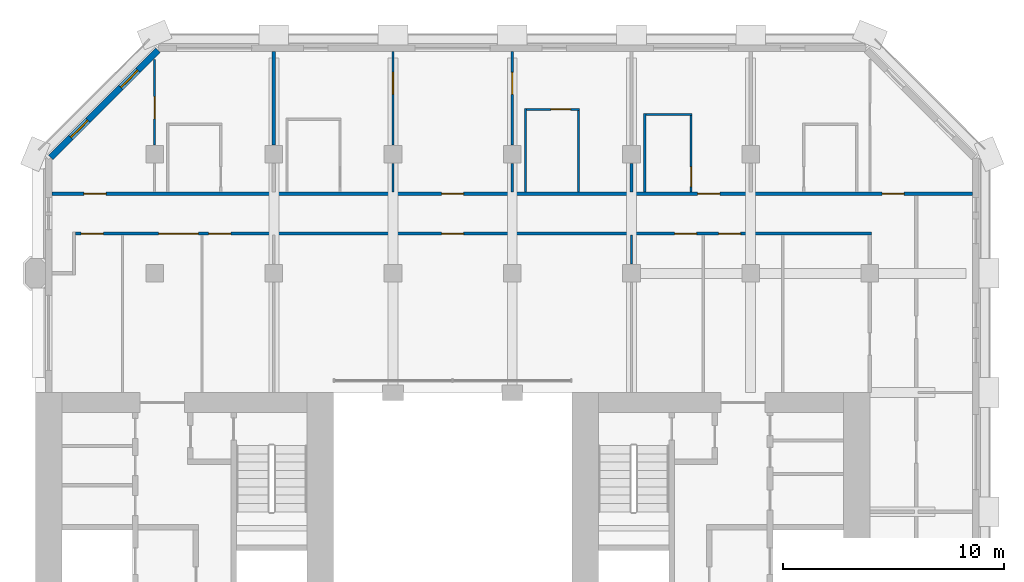
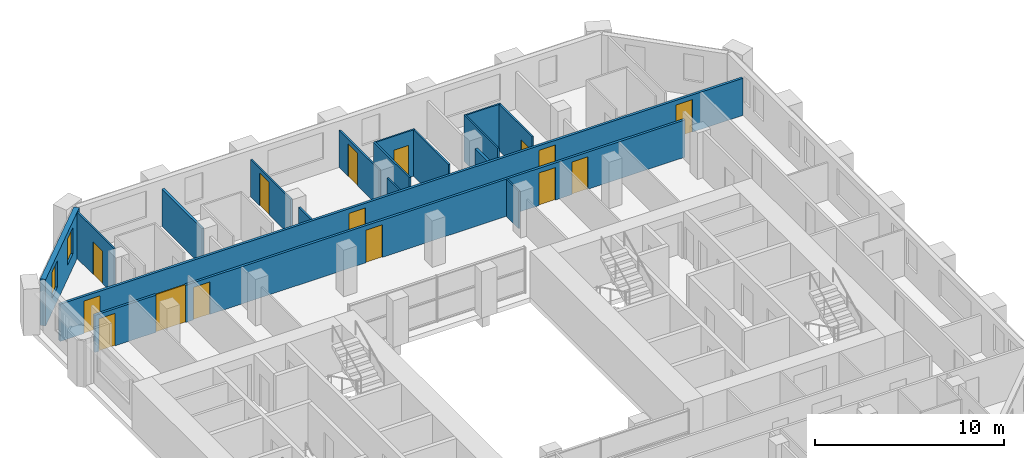
# One storey, part 8 of 12: 17 walls, 15 doors, 2 windows, 17 openings.
"""IFC4 building model written with IfcOpenShell, lengths in metres."""

from ifc_helpers import new_model, si_unit, direction, frame, frame_2d, origin, place, context, subcontext, project, spatial, rectangle, extrude, material, layer, layer_set, type_object, element, fill, save


model = new_model("IFC4")

# Units and contexts
model_context = context("Model", 3, precision=1e-05, world=origin(), true_north=direction((0.0, 1.0)))
body_context = subcontext(model_context, "Body", "Model", "MODEL_VIEW")
ifc_project = project(units=[si_unit("LENGTHUNIT", "METRE"), si_unit("AREAUNIT", "SQUARE_METRE"), si_unit("VOLUMEUNIT", "CUBIC_METRE"), si_unit("PLANEANGLEUNIT", "RADIAN"), si_unit("MASSUNIT", "GRAM", prefix="KILO")], contexts=[model_context])

# Site, building, storey
site_placement = place(None, origin())
site = spatial("IfcSite", under=ifc_project, at=site_placement, CompositionType="ELEMENT")
building_placement = place(site_placement, origin())
building = spatial("IfcBuilding", under=site, at=building_placement, Name="Tabaq Tower and Sports Hall", CompositionType="ELEMENT")
storey_placement = place(building_placement, frame((0.0, 0.0, 190.60009765625)))
storey = spatial("IfcBuildingStorey", under=building, at=storey_placement, Name="L46", CompositionType="ELEMENT", Elevation=190.60009765625)

# Wall, opening, door
ifc_material_1 = material(Name="Gypsum board on steel studs", Category="steel")
ifc_layer_1 = layer(ifc_material_1, 0.10009765625)
ifc_layer_set_1 = layer_set([ifc_layer_1], Name="Partition 100 Gypsum board")
wall_type_1 = type_object("IfcWallType", Name="Partition 100 Gypsum board", PredefinedType="PARTITIONING", material=ifc_layer_set_1)
wall_1_placement = place(storey_placement, frame((10.800048828125, 47.48779296875, 0.0), z_axis=(0.0, 0.0, 1.0), x_axis=(0.0, -1.0, 0.0)))
wall_1 = element("IfcWall", 1, at=wall_1_placement, inside=storey, type_object=wall_type_1, Name="Partition wall L46", PredefinedType="PARTITIONING", context=body_context, shape_type="SweptSolid", body=[
    extrude(rectangle(XDim=3.86767578125, YDim=0.10009765625, at=frame_2d((1.933837890625, 0.0))), origin(), (0.0, 0.0, 1.0), 3.0),
])
opening_1_placement = place(wall_1_placement, frame((1.68798828125, 0.0, 0.0)))
opening_1 = element("IfcOpeningElement", 2, at=opening_1_placement, cuts=wall_1, Name="Opening L46-025", PredefinedType="OPENING", context=body_context, shape_type="SweptSolid", body=[
    extrude(rectangle(XDim=1.0, YDim=2.10009765625, at=frame_2d((0.5, 1.050048828125))), frame((0.0, 0.050048828125, 0.0), z_axis=(0.0, -1.0, 0.0), x_axis=(1.0, 0.0, 0.0)), (0.0, 0.0, 1.0), 0.10009765625),
])
ifc_material_2 = material(Name="Timber leaf in steel frame", Category="steel")
door_type_1 = type_object("IfcDoorType", Name="Internal door 1000 left hand", OperationType="SINGLE_SWING_LEFT", PredefinedType="DOOR", material=ifc_material_2)
door_1_placement = place(opening_1_placement, origin())
door_1 = element("IfcDoor", 3, at=door_1_placement, inside=storey, type_object=door_type_1, Name="Internal door L46-025", OperationType="SINGLE_SWING_LEFT", OverallHeight=2.10009765625, OverallWidth=1.0, PredefinedType="DOOR", context=body_context, shape_type="SweptSolid", body=[
    extrude(rectangle(XDim=1.0, YDim=2.10009765625, at=frame_2d((0.5, 1.050048828125))), frame((0.0, 0.02490234375, 0.0), z_axis=(0.0, -1.0, 0.0), x_axis=(1.0, 0.0, 0.0)), (0.0, 0.0, 1.0), 0.050048828125),
])
fill(opening_1, door_1)

# Wall
wall_2_placement = place(storey_placement, frame((21.60009765625, 41.47509765625, 0.0), z_axis=(0.0, 0.0, 1.0), x_axis=(0.0, 1.0, 0.0)))
element("IfcWall", 4, at=wall_2_placement, inside=storey, type_object=wall_type_1, Name="Partition wall L46", PredefinedType="PARTITIONING", context=body_context, shape_type="SweptSolid", body=[
    extrude(rectangle(XDim=1.304931640625, YDim=0.10009765625, at=frame_2d((0.65234375, 0.0))), origin(), (0.0, 0.0, 1.0), 2.39990234375),
])

# Wall, opening, door
wall_3_placement = place(storey_placement, frame((21.60009765625, 43.6201171875, 0.0), z_axis=(0.0, 0.0, 1.0), x_axis=(0.0, 1.0, 0.0)))
wall_3 = element("IfcWall", 5, at=wall_3_placement, inside=storey, type_object=wall_type_1, Name="Partition wall L46", PredefinedType="PARTITIONING", context=body_context, shape_type="SweptSolid", body=[
    extrude(rectangle(XDim=4.22900390625, YDim=0.10009765625, at=frame_2d((2.114501953125, 0.0))), origin(), (0.0, 0.0, 1.0), 2.39990234375),
])
opening_2_placement = place(wall_3_placement, frame((2.280029296875, 0.0, 0.0)))
opening_2 = element("IfcOpeningElement", 6, at=opening_2_placement, cuts=wall_3, Name="Opening L46-027", PredefinedType="OPENING", context=body_context, shape_type="SweptSolid", body=[
    extrude(rectangle(XDim=1.0, YDim=2.10009765625, at=frame_2d((0.5, 1.050048828125))), frame((0.0, 0.050048828125, 0.0), z_axis=(0.0, -1.0, 0.0), x_axis=(1.0, 0.0, 0.0)), (0.0, 0.0, 1.0), 0.10009765625),
])
door_2_placement = place(opening_2_placement, origin())
door_2 = element("IfcDoor", 7, at=door_2_placement, inside=storey, type_object=door_type_1, Name="Internal door L46-027", OperationType="SINGLE_SWING_LEFT", OverallHeight=2.10009765625, OverallWidth=1.0, PredefinedType="DOOR", context=body_context, shape_type="SweptSolid", body=[
    extrude(rectangle(XDim=1.0, YDim=2.10009765625, at=frame_2d((0.5, 1.050048828125))), frame((0.0, 0.02490234375, 0.0), z_axis=(0.0, -1.0, 0.0), x_axis=(1.0, 0.0, 0.0)), (0.0, 0.0, 1.0), 0.050048828125),
])
fill(opening_2, door_2)

wall_4_placement = place(storey_placement, frame((27.0, 47.84912109375, 0.0), z_axis=(0.0, 0.0, 1.0), x_axis=(0.0, -1.0, 0.0)))
wall_4 = element("IfcWall", 8, at=wall_4_placement, inside=storey, type_object=wall_type_1, Name="Partition wall L46", PredefinedType="PARTITIONING", context=body_context, shape_type="SweptSolid", body=[
    extrude(rectangle(XDim=4.22900390625, YDim=0.10009765625, at=frame_2d((2.114501953125, 0.0))), origin(), (0.0, 0.0, 1.0), 2.39990234375),
])
opening_3_placement = place(wall_4_placement, frame((0.948974609375, 0.0, 0.0)))
opening_3 = element("IfcOpeningElement", 9, at=opening_3_placement, cuts=wall_4, Name="Opening L46-028", PredefinedType="OPENING", context=body_context, shape_type="SweptSolid", body=[
    extrude(rectangle(XDim=1.0, YDim=2.10009765625, at=frame_2d((0.5, 1.050048828125))), frame((0.0, 0.050048828125, 0.0), z_axis=(0.0, -1.0, 0.0), x_axis=(1.0, 0.0, 0.0)), (0.0, 0.0, 1.0), 0.10009765625),
])
door_3_placement = place(opening_3_placement, origin())
door_3 = element("IfcDoor", 10, at=door_3_placement, inside=storey, type_object=door_type_1, Name="Internal door L46-028", OperationType="SINGLE_SWING_LEFT", OverallHeight=2.10009765625, OverallWidth=1.0, PredefinedType="DOOR", context=body_context, shape_type="SweptSolid", body=[
    extrude(rectangle(XDim=1.0, YDim=2.10009765625, at=frame_2d((0.5, 1.050048828125))), frame((0.0, 0.02490234375, 0.0), z_axis=(0.0, -1.0, 0.0), x_axis=(1.0, 0.0, 0.0)), (0.0, 0.0, 1.0), 0.050048828125),
])
fill(opening_3, door_3)

# Walls
wall_5_placement = place(storey_placement, frame((27.0, 42.780029296875, 0.0), z_axis=(0.0, 0.0, 1.0), x_axis=(0.0, -1.0, 0.0)))
element("IfcWall", 11, at=wall_5_placement, inside=storey, type_object=wall_type_1, Name="Partition wall L46", PredefinedType="PARTITIONING", context=body_context, shape_type="SweptSolid", body=[
    extrude(rectangle(XDim=1.304931640625, YDim=0.10009765625, at=frame_2d((0.65234375, 0.0))), origin(), (0.0, 0.0, 1.0), 2.39990234375),
])
wall_6_placement = place(storey_placement, frame((27.60009765625, 41.47509765625, 0.0), z_axis=(0.0, 0.0, 1.0), x_axis=(0.0, 1.0, 0.0)))
element("IfcWall", 12, at=wall_6_placement, inside=storey, type_object=wall_type_1, Name="Partition wall L46", PredefinedType="PARTITIONING", context=body_context, shape_type="SweptSolid", body=[
    extrude(rectangle(XDim=3.7998046875, YDim=0.10009765625, at=frame_2d((1.89990234375, 0.0))), origin(), (0.0, 0.0, 1.0), 3.0),
])

# Wall, opening, door
wall_7_placement = place(storey_placement, frame((27.64990234375, 45.22509765625, 0.0), z_axis=(0.0, 0.0, 1.0), x_axis=(1.0, 0.0, 0.0)))
wall_7 = element("IfcWall", 13, at=wall_7_placement, inside=storey, type_object=wall_type_1, Name="Partition wall L46", PredefinedType="PARTITIONING", context=body_context, shape_type="SweptSolid", body=[
    extrude(rectangle(XDim=2.400146484375, YDim=0.10009765625, at=frame_2d((1.2001953125, 0.0))), origin(), (0.0, 0.0, 1.0), 3.0),
])
opening_4_placement = place(wall_7_placement, frame((1.10009765625, 0.0, 0.0)))
opening_4 = element("IfcOpeningElement", 14, at=opening_4_placement, cuts=wall_7, Name="Opening L46-004", PredefinedType="OPENING", context=body_context, shape_type="SweptSolid", body=[
    extrude(rectangle(XDim=0.89990234375, YDim=2.10009765625, at=frame_2d((0.449951171875, 1.050048828125))), frame((0.0, 0.050048828125, 0.0), z_axis=(0.0, -1.0, 0.0), x_axis=(1.0, 0.0, 0.0)), (0.0, 0.0, 1.0), 0.10009765625),
])
ifc_material_3 = material(Name="Timber leaf in steel frame", Category="steel")
door_type_2 = type_object("IfcDoorType", Name="Internal door 900 right hand", OperationType="SINGLE_SWING_RIGHT", PredefinedType="DOOR", material=ifc_material_3)
door_4_placement = place(opening_4_placement, origin())
door_4 = element("IfcDoor", 15, at=door_4_placement, inside=storey, type_object=door_type_2, Name="Internal door L46-004", OperationType="SINGLE_SWING_RIGHT", OverallHeight=2.10009765625, OverallWidth=0.89990234375, PredefinedType="DOOR", context=body_context, shape_type="SweptSolid", body=[
    extrude(rectangle(XDim=0.89990234375, YDim=2.10009765625, at=frame_2d((0.449951171875, 1.050048828125))), frame((0.0, 0.02490234375, 0.0), z_axis=(0.0, -1.0, 0.0), x_axis=(1.0, 0.0, 0.0)), (0.0, 0.0, 1.0), 0.050048828125),
])
fill(opening_4, door_4)

# Walls
wall_8_placement = place(storey_placement, frame((30.0, 45.175048828125, 0.0), z_axis=(0.0, 0.0, 1.0), x_axis=(0.0, -1.0, 0.0)))
element("IfcWall", 16, at=wall_8_placement, inside=storey, type_object=wall_type_1, Name="Partition wall L46", PredefinedType="PARTITIONING", context=body_context, shape_type="SweptSolid", body=[
    extrude(rectangle(XDim=3.699951171875, YDim=0.10009765625, at=frame_2d((1.85009765625, 0.0))), origin(), (0.0, 0.0, 1.0), 3.0),
])
wall_9_placement = place(storey_placement, frame((33.0, 41.47509765625, 0.0), z_axis=(0.0, 0.0, 1.0), x_axis=(0.0, 1.0, 0.0)))
element("IfcWall", 17, at=wall_9_placement, inside=storey, type_object=wall_type_1, Name="Partition wall L46", PredefinedType="PARTITIONING", context=body_context, shape_type="SweptSolid", body=[
    extrude(rectangle(XDim=3.574951171875, YDim=0.10009765625, at=frame_2d((1.78759765625, 0.0))), origin(), (0.0, 0.0, 1.0), 3.0),
])
wall_10_placement = place(storey_placement, frame((33.050048828125, 45.0, 0.0), z_axis=(0.0, 0.0, 1.0), x_axis=(1.0, 0.0, 0.0)))
element("IfcWall", 18, at=wall_10_placement, inside=storey, type_object=wall_type_1, Name="Partition wall L46", PredefinedType="PARTITIONING", context=body_context, shape_type="SweptSolid", body=[
    extrude(rectangle(XDim=2.099853515625, YDim=0.10009765625, at=frame_2d((1.0498046875, 0.0))), origin(), (0.0, 0.0, 1.0), 3.0),
])

# Wall, opening, door
wall_11_placement = place(storey_placement, frame((35.10009765625, 44.949951171875, 0.0), z_axis=(0.0, 0.0, 1.0), x_axis=(0.0, -1.0, 0.0)))
wall_11 = element("IfcWall", 19, at=wall_11_placement, inside=storey, type_object=wall_type_1, Name="Partition wall L46", PredefinedType="PARTITIONING", context=body_context, shape_type="SweptSolid", body=[
    extrude(rectangle(XDim=3.474853515625, YDim=0.10009765625, at=frame_2d((1.7373046875, 0.0))), origin(), (0.0, 0.0, 1.0), 3.0),
])
opening_5_placement = place(wall_11_placement, frame((2.324951171875, 0.0, 0.0)))
opening_5 = element("IfcOpeningElement", 20, at=opening_5_placement, cuts=wall_11, Name="Opening L46-005", PredefinedType="OPENING", context=body_context, shape_type="SweptSolid", body=[
    extrude(rectangle(XDim=0.89990234375, YDim=2.10009765625, at=frame_2d((0.449951171875, 1.050048828125))), frame((0.0, 0.050048828125, 0.0), z_axis=(0.0, -1.0, 0.0), x_axis=(1.0, 0.0, 0.0)), (0.0, 0.0, 1.0), 0.10009765625),
])
door_5_placement = place(opening_5_placement, origin())
door_5 = element("IfcDoor", 21, at=door_5_placement, inside=storey, type_object=door_type_2, Name="Internal door L46-005", OperationType="SINGLE_SWING_RIGHT", OverallHeight=2.10009765625, OverallWidth=0.89990234375, PredefinedType="DOOR", context=body_context, shape_type="SweptSolid", body=[
    extrude(rectangle(XDim=0.89990234375, YDim=2.10009765625, at=frame_2d((0.449951171875, 1.050048828125))), frame((0.0, 0.02490234375, 0.0), z_axis=(0.0, -1.0, 0.0), x_axis=(1.0, 0.0, 0.0)), (0.0, 0.0, 1.0), 0.050048828125),
])
fill(opening_5, door_5)

# Walls
wall_12_placement = place(storey_placement, frame((32.39990234375, 38.219970703125, 0.0), z_axis=(0.0, 0.0, 1.0), x_axis=(0.0, 1.0, 0.0)))
element("IfcWall", 22, at=wall_12_placement, inside=storey, type_object=wall_type_1, Name="Partition wall L46", PredefinedType="PARTITIONING", context=body_context, shape_type="SweptSolid", body=[
    extrude(rectangle(XDim=1.304931640625, YDim=0.10009765625, at=frame_2d((0.65234375, 0.0))), origin(), (0.0, 0.0, 1.0), 2.39990234375),
])
ifc_material_4 = material(Name="Blockwork", Category="masonry")
ifc_layer_2 = layer(ifc_material_4, 0.14990234375)
ifc_layer_set_2 = layer_set([ifc_layer_2], Name="Separating wall 150 Blockwork")
wall_type_2 = type_object("IfcWallType", Name="Separating wall 150 Blockwork", PredefinedType="PARTITIONING", material=ifc_layer_set_2)
wall_13_placement = place(storey_placement, frame((16.199951171875, 43.6201171875, 0.0), z_axis=(0.0, 0.0, 1.0), x_axis=(0.0, 1.0, 0.0)))
element("IfcWall", 23, at=wall_13_placement, inside=storey, type_object=wall_type_2, Name="Separating wall L46", PredefinedType="PARTITIONING", context=body_context, shape_type="SweptSolid", body=[
    extrude(rectangle(XDim=4.22900390625, YDim=0.14990234375, at=frame_2d((2.114501953125, 0.0))), origin(), (0.0, 0.0, 1.0), 2.39990234375),
])
wall_14_placement = place(storey_placement, frame((32.39990234375, 41.47509765625, 0.0), z_axis=(0.0, 0.0, 1.0), x_axis=(0.0, 1.0, 0.0)))
element("IfcWall", 24, at=wall_14_placement, inside=storey, type_object=wall_type_2, Name="Separating wall L46", PredefinedType="PARTITIONING", context=body_context, shape_type="SweptSolid", body=[
    extrude(rectangle(XDim=1.304931640625, YDim=0.14990234375, at=frame_2d((0.65234375, 0.0))), origin(), (0.0, 0.0, 1.0), 2.39990234375),
])

# Wall, openings, doors
wall_15_placement = place(storey_placement, frame((47.84912109375, 41.39990234375, 0.0), z_axis=(0.0, 0.0, 1.0), x_axis=(-1.0, 0.0, 0.0)))
wall_15 = element("IfcWall", 25, at=wall_15_placement, inside=storey, type_object=wall_type_2, Name="Separating wall L46", PredefinedType="PARTITIONING", context=body_context, shape_type="SweptSolid", body=[
    extrude(rectangle(XDim=41.6982421875, YDim=0.14990234375, at=frame_2d((20.84912109375, 0.0))), origin(), (0.0, 0.0, 1.0), 2.39990234375),
])
opening_6_placement = place(wall_15_placement, frame((39.2490234375, 0.0, 0.0)))
opening_6 = element("IfcOpeningElement", 26, at=opening_6_placement, cuts=wall_15, Name="Opening L46-026", PredefinedType="OPENING", context=body_context, shape_type="SweptSolid", body=[
    extrude(rectangle(XDim=1.0, YDim=2.10009765625, at=frame_2d((0.5, 1.050048828125))), frame((0.0, 0.074951171875, 0.0), z_axis=(0.0, -1.0, 0.0), x_axis=(1.0, 0.0, 0.0)), (0.0, 0.0, 1.0), 0.14990234375),
])
opening_7_placement = place(wall_15_placement, frame((11.448974609375, 0.0, 0.0)))
opening_7 = element("IfcOpeningElement", 27, at=opening_7_placement, cuts=wall_15, Name="Opening L46-029", PredefinedType="OPENING", context=body_context, shape_type="SweptSolid", body=[
    extrude(rectangle(XDim=1.0, YDim=2.10009765625, at=frame_2d((0.5, 1.050048828125))), frame((0.0, 0.074951171875, 0.0), z_axis=(0.0, -1.0, 0.0), x_axis=(1.0, 0.0, 0.0)), (0.0, 0.0, 1.0), 0.14990234375),
])
opening_8_placement = place(wall_15_placement, frame((3.09912109375, 0.0, 0.0)))
opening_8 = element("IfcOpeningElement", 28, at=opening_8_placement, cuts=wall_15, Name="Opening L46-031", PredefinedType="OPENING", context=body_context, shape_type="SweptSolid", body=[
    extrude(rectangle(XDim=1.0, YDim=2.10009765625, at=frame_2d((0.5, 1.050048828125))), frame((0.0, 0.074951171875, 0.0), z_axis=(0.0, -1.0, 0.0), x_axis=(1.0, 0.0, 0.0)), (0.0, 0.0, 1.0), 0.14990234375),
])
opening_9_placement = place(wall_15_placement, frame((23.049072265625, 0.0, 0.0)))
opening_9 = element("IfcOpeningElement", 29, at=opening_9_placement, cuts=wall_15, Name="Opening L46-042", PredefinedType="OPENING", context=body_context, shape_type="SweptSolid", body=[
    extrude(rectangle(XDim=1.0, YDim=2.10009765625, at=frame_2d((0.5, 1.050048828125))), frame((0.0, 0.074951171875, 0.0), z_axis=(0.0, -1.0, 0.0), x_axis=(1.0, 0.0, 0.0)), (0.0, 0.0, 1.0), 0.14990234375),
])
ifc_material_5 = material(Name="Steel fire door", Category="steel")
door_type_3 = type_object("IfcDoorType", Name="Entrance door 1000 left hand", OperationType="SINGLE_SWING_LEFT", PredefinedType="DOOR", material=ifc_material_5)
door_6_placement = place(opening_9_placement, origin())
door_6 = element("IfcDoor", 30, at=door_6_placement, inside=storey, type_object=door_type_3, Name="Entrance door L46-042", OperationType="SINGLE_SWING_LEFT", OverallHeight=2.10009765625, OverallWidth=1.0, PredefinedType="DOOR", context=body_context, shape_type="SweptSolid", body=[
    extrude(rectangle(XDim=1.0, YDim=2.10009765625, at=frame_2d((0.5, 1.050048828125))), frame((0.0, 0.02490234375, 0.0), z_axis=(0.0, -1.0, 0.0), x_axis=(1.0, 0.0, 0.0)), (0.0, 0.0, 1.0), 0.050048828125),
])
fill(opening_9, door_6)
ifc_material_6 = material(Name="Steel fire door", Category="steel")
door_type_4 = type_object("IfcDoorType", Name="Entrance door 1000 right hand", OperationType="SINGLE_SWING_RIGHT", PredefinedType="DOOR", material=ifc_material_6)
door_7_placement = place(opening_6_placement, origin())
door_7 = element("IfcDoor", 31, at=door_7_placement, inside=storey, type_object=door_type_4, Name="Entrance door L46-026", OperationType="SINGLE_SWING_RIGHT", OverallHeight=2.10009765625, OverallWidth=1.0, PredefinedType="DOOR", context=body_context, shape_type="SweptSolid", body=[
    extrude(rectangle(XDim=1.0, YDim=2.10009765625, at=frame_2d((0.5, 1.050048828125))), frame((0.0, 0.02490234375, 0.0), z_axis=(0.0, -1.0, 0.0), x_axis=(1.0, 0.0, 0.0)), (0.0, 0.0, 1.0), 0.050048828125),
])
fill(opening_6, door_7)
door_8_placement = place(opening_7_placement, origin())
door_8 = element("IfcDoor", 32, at=door_8_placement, inside=storey, type_object=door_type_4, Name="Entrance door L46-029", OperationType="SINGLE_SWING_RIGHT", OverallHeight=2.10009765625, OverallWidth=1.0, PredefinedType="DOOR", context=body_context, shape_type="SweptSolid", body=[
    extrude(rectangle(XDim=1.0, YDim=2.10009765625, at=frame_2d((0.5, 1.050048828125))), frame((0.0, 0.02490234375, 0.0), z_axis=(0.0, -1.0, 0.0), x_axis=(1.0, 0.0, 0.0)), (0.0, 0.0, 1.0), 0.050048828125),
])
fill(opening_7, door_8)
door_9_placement = place(opening_8_placement, origin())
door_9 = element("IfcDoor", 33, at=door_9_placement, inside=storey, type_object=door_type_4, Name="Entrance door L46-031", OperationType="SINGLE_SWING_RIGHT", OverallHeight=2.10009765625, OverallWidth=1.0, PredefinedType="DOOR", context=body_context, shape_type="SweptSolid", body=[
    extrude(rectangle(XDim=1.0, YDim=2.10009765625, at=frame_2d((0.5, 1.050048828125))), frame((0.0, 0.02490234375, 0.0), z_axis=(0.0, -1.0, 0.0), x_axis=(1.0, 0.0, 0.0)), (0.0, 0.0, 1.0), 0.050048828125),
])
fill(opening_8, door_9)

wall_16_placement = place(storey_placement, frame((43.27490234375, 39.60009765625, 0.0), z_axis=(0.0, 0.0, 1.0), x_axis=(-1.0, 0.0, 0.0)))
wall_16 = element("IfcWall", 34, at=wall_16_placement, inside=storey, type_object=wall_type_2, Name="Separating wall L46", PredefinedType="PARTITIONING", context=body_context, shape_type="SweptSolid", body=[
    extrude(rectangle(XDim=36.048828125, YDim=0.14990234375, at=frame_2d((18.0244140625, 0.0))), origin(), (0.0, 0.0, 1.0), 2.39990234375),
])
opening_10_placement = place(wall_16_placement, frame((18.47509765625, 0.0, 0.0)))
opening_10 = element("IfcOpeningElement", 35, at=opening_10_placement, cuts=wall_16, Name="Opening L46-007", PredefinedType="OPENING", context=body_context, shape_type="SweptSolid", body=[
    extrude(rectangle(XDim=1.0, YDim=2.10009765625, at=frame_2d((0.5, 1.050048828125))), frame((0.0, 0.074951171875, 0.0), z_axis=(0.0, -1.0, 0.0), x_axis=(1.0, 0.0, 0.0)), (0.0, 0.0, 1.0), 0.14990234375),
])
opening_11_placement = place(wall_16_placement, frame((34.799072265625, 0.0, 0.0)))
opening_11 = element("IfcOpeningElement", 36, at=opening_11_placement, cuts=wall_16, Name="Opening L46-009", PredefinedType="OPENING", context=body_context, shape_type="SweptSolid", body=[
    extrude(rectangle(XDim=1.0, YDim=2.10009765625, at=frame_2d((0.5, 1.050048828125))), frame((0.0, 0.074951171875, 0.0), z_axis=(0.0, -1.0, 0.0), x_axis=(1.0, 0.0, 0.0)), (0.0, 0.0, 1.0), 0.14990234375),
])
opening_12_placement = place(wall_16_placement, frame((7.925048828125, 0.0, 0.0)))
opening_12 = element("IfcOpeningElement", 37, at=opening_12_placement, cuts=wall_16, Name="Opening L46-010", PredefinedType="OPENING", context=body_context, shape_type="SweptSolid", body=[
    extrude(rectangle(XDim=1.0, YDim=2.10009765625, at=frame_2d((0.5, 1.050048828125))), frame((0.0, 0.074951171875, 0.0), z_axis=(0.0, -1.0, 0.0), x_axis=(1.0, 0.0, 0.0)), (0.0, 0.0, 1.0), 0.14990234375),
])
opening_13_placement = place(wall_16_placement, frame((29.02490234375, 0.0, 0.0)))
opening_13 = element("IfcOpeningElement", 38, at=opening_13_placement, cuts=wall_16, Name="Opening L46-012", PredefinedType="OPENING", context=body_context, shape_type="SweptSolid", body=[
    extrude(rectangle(XDim=1.0, YDim=2.10009765625, at=frame_2d((0.5, 1.050048828125))), frame((0.0, 0.074951171875, 0.0), z_axis=(0.0, -1.0, 0.0), x_axis=(1.0, 0.0, 0.0)), (0.0, 0.0, 1.0), 0.14990234375),
])
opening_14_placement = place(wall_16_placement, frame((30.4951171875, 0.0, 0.0)))
opening_14 = element("IfcOpeningElement", 39, at=opening_14_placement, cuts=wall_16, Name="Opening L46-032", PredefinedType="OPENING", context=body_context, shape_type="SweptSolid", body=[
    extrude(rectangle(XDim=1.800048828125, YDim=2.39990234375, at=frame_2d((0.89990234375, 1.199951171875))), frame((0.0, 0.074951171875, 0.0), z_axis=(0.0, -1.0, 0.0), x_axis=(1.0, 0.0, 0.0)), (0.0, 0.0, 1.0), 0.14990234375),
])
opening_15_placement = place(wall_16_placement, frame((5.925048828125, 0.0, 0.0)))
opening_15 = element("IfcOpeningElement", 40, at=opening_15_placement, cuts=wall_16, Name="Opening L46-033", PredefinedType="OPENING", context=body_context, shape_type="SweptSolid", body=[
    extrude(rectangle(XDim=1.0, YDim=2.10009765625, at=frame_2d((0.5, 1.050048828125))), frame((0.0, 0.074951171875, 0.0), z_axis=(0.0, -1.0, 0.0), x_axis=(1.0, 0.0, 0.0)), (0.0, 0.0, 1.0), 0.14990234375),
])
door_10_placement = place(opening_11_placement, origin())
door_10 = element("IfcDoor", 41, at=door_10_placement, inside=storey, type_object=door_type_1, Name="Internal door L46-009", OperationType="SINGLE_SWING_LEFT", OverallHeight=2.10009765625, OverallWidth=1.0, PredefinedType="DOOR", context=body_context, shape_type="SweptSolid", body=[
    extrude(rectangle(XDim=1.0, YDim=2.10009765625, at=frame_2d((0.5, 1.050048828125))), frame((0.0, 0.02490234375, 0.0), z_axis=(0.0, -1.0, 0.0), x_axis=(1.0, 0.0, 0.0)), (0.0, 0.0, 1.0), 0.050048828125),
])
fill(opening_11, door_10)
door_11_placement = place(opening_15_placement, origin())
door_11 = element("IfcDoor", 42, at=door_11_placement, inside=storey, type_object=door_type_1, Name="Internal door L46-033", OperationType="SINGLE_SWING_LEFT", OverallHeight=2.10009765625, OverallWidth=1.0, PredefinedType="DOOR", context=body_context, shape_type="SweptSolid", body=[
    extrude(rectangle(XDim=1.0, YDim=2.10009765625, at=frame_2d((0.5, 1.050048828125))), frame((0.0, 0.02490234375, 0.0), z_axis=(0.0, -1.0, 0.0), x_axis=(1.0, 0.0, 0.0)), (0.0, 0.0, 1.0), 0.050048828125),
])
fill(opening_15, door_11)
ifc_material_7 = material(Name="Timber leaf in steel frame", Category="steel")
door_type_5 = type_object("IfcDoorType", Name="Internal door 1000 right hand", OperationType="SINGLE_SWING_RIGHT", PredefinedType="DOOR", material=ifc_material_7)
door_12_placement = place(opening_10_placement, origin())
door_12 = element("IfcDoor", 43, at=door_12_placement, inside=storey, type_object=door_type_5, Name="Internal door L46-007", OperationType="SINGLE_SWING_RIGHT", OverallHeight=2.10009765625, OverallWidth=1.0, PredefinedType="DOOR", context=body_context, shape_type="SweptSolid", body=[
    extrude(rectangle(XDim=1.0, YDim=2.10009765625, at=frame_2d((0.5, 1.050048828125))), frame((0.0, 0.02490234375, 0.0), z_axis=(0.0, -1.0, 0.0), x_axis=(1.0, 0.0, 0.0)), (0.0, 0.0, 1.0), 0.050048828125),
])
fill(opening_10, door_12)
door_13_placement = place(opening_12_placement, origin())
door_13 = element("IfcDoor", 44, at=door_13_placement, inside=storey, type_object=door_type_5, Name="Internal door L46-010", OperationType="SINGLE_SWING_RIGHT", OverallHeight=2.10009765625, OverallWidth=1.0, PredefinedType="DOOR", context=body_context, shape_type="SweptSolid", body=[
    extrude(rectangle(XDim=1.0, YDim=2.10009765625, at=frame_2d((0.5, 1.050048828125))), frame((0.0, 0.02490234375, 0.0), z_axis=(0.0, -1.0, 0.0), x_axis=(1.0, 0.0, 0.0)), (0.0, 0.0, 1.0), 0.050048828125),
])
fill(opening_12, door_13)
door_14_placement = place(opening_13_placement, origin())
door_14 = element("IfcDoor", 45, at=door_14_placement, inside=storey, type_object=door_type_5, Name="Internal door L46-012", OperationType="SINGLE_SWING_RIGHT", OverallHeight=2.10009765625, OverallWidth=1.0, PredefinedType="DOOR", context=body_context, shape_type="SweptSolid", body=[
    extrude(rectangle(XDim=1.0, YDim=2.10009765625, at=frame_2d((0.5, 1.050048828125))), frame((0.0, 0.02490234375, 0.0), z_axis=(0.0, -1.0, 0.0), x_axis=(1.0, 0.0, 0.0)), (0.0, 0.0, 1.0), 0.050048828125),
])
fill(opening_13, door_14)
ifc_material_8 = material(Name="Timber leaf in steel frame", Category="steel")
door_type_6 = type_object("IfcDoorType", Name="Internal door 1800", OperationType="DOUBLE_DOOR_SINGLE_SWING", PredefinedType="DOOR", material=ifc_material_8)
door_15_placement = place(opening_14_placement, origin())
door_15 = element("IfcDoor", 46, at=door_15_placement, inside=storey, type_object=door_type_6, Name="Internal door L46-032", OperationType="DOUBLE_DOOR_SINGLE_SWING", OverallHeight=2.39990234375, OverallWidth=1.800048828125, PredefinedType="DOOR", context=body_context, shape_type="SweptSolid", body=[
    extrude(rectangle(XDim=1.800048828125, YDim=2.39990234375, at=frame_2d((0.89990234375, 1.199951171875))), frame((0.0, 0.02490234375, 0.0), z_axis=(0.0, -1.0, 0.0), x_axis=(1.0, 0.0, 0.0)), (0.0, 0.0, 1.0), 0.050048828125),
])
fill(opening_14, door_15)

# Wall, openings, windows
ifc_material_9 = material(Name="White precast concrete C60/75", Category="concrete")
ifc_layer_3 = layer(ifc_material_9, 0.300048828125)
ifc_layer_set_3 = layer_set([ifc_layer_3], Name="White precast concrete C60/75 external wall 300")
wall_type_3 = type_object("IfcWallType", Name="White precast concrete C60/75 external wall 300", PredefinedType="SOLIDWALL", material=ifc_layer_set_3)
wall_17_placement = place(storey_placement, frame((10.949462890625, 47.901123046875, 0.0), z_axis=(0.0, 0.0, 1.0), x_axis=(-0.707106781187, -0.707106781187, 0.0)))
wall_17 = element("IfcWall", 47, at=wall_17_placement, inside=storey, type_object=wall_type_3, Name="External Wall L46 NW", PredefinedType="SOLIDWALL", context=body_context, shape_type="SweptSolid", body=[
    extrude(rectangle(XDim=6.85986328125, YDim=0.300048828125, at=frame_2d((3.429931640625, 0.0))), origin(), (0.0, 0.0, 1.0), 3.0),
])
opening_16_placement = place(wall_17_placement, frame((1.27978515625, 0.0, 0.89990234375)))
opening_16 = element("IfcOpeningElement", 48, at=opening_16_placement, cuts=wall_17, Name="Opening W1B", PredefinedType="OPENING", context=body_context, shape_type="SweptSolid", body=[
    extrude(rectangle(XDim=1.10009765625, YDim=1.699951171875, at=frame_2d((0.550048828125, 0.85009765625))), frame((0.0, 0.16015625, 0.0), z_axis=(0.0, -1.0, 0.0), x_axis=(1.0, 0.0, 0.0)), (0.0, 0.0, 1.0), 0.320068359375),
])
opening_17_placement = place(wall_17_placement, frame((4.479736328125, 0.0, 0.89990234375)))
opening_17 = element("IfcOpeningElement", 49, at=opening_17_placement, cuts=wall_17, Name="Opening W1B", PredefinedType="OPENING", context=body_context, shape_type="SweptSolid", body=[
    extrude(rectangle(XDim=1.10009765625, YDim=1.699951171875, at=frame_2d((0.550048828125, 0.85009765625))), frame((0.0, 0.16015625, 0.0), z_axis=(0.0, -1.0, 0.0), x_axis=(1.0, 0.0, 0.0)), (0.0, 0.0, 1.0), 0.320068359375),
])
ifc_material_10 = material(Name="Aluminium framed clear glazing", Category="aluminium")
window_type = type_object("IfcWindowType", Name="Window W1B", PartitioningType="SINGLE_PANEL", PredefinedType="WINDOW", material=ifc_material_10)
window_1_placement = place(opening_16_placement, origin())
window_1 = element("IfcWindow", 50, at=window_1_placement, inside=storey, type_object=window_type, Name="Window W1B L46", OverallHeight=1.699951171875, OverallWidth=1.10009765625, PartitioningType="SINGLE_PANEL", PredefinedType="WINDOW", context=body_context, shape_type="SweptSolid", body=[
    extrude(rectangle(XDim=1.10009765625, YDim=1.699951171875, at=frame_2d((0.550048828125, 0.85009765625))), frame((0.0, 0.030029296875, 0.0), z_axis=(0.0, -1.0, 0.0), x_axis=(1.0, 0.0, 0.0)), (0.0, 0.0, 1.0), 0.06005859375),
])
fill(opening_16, window_1)
window_2_placement = place(opening_17_placement, origin())
window_2 = element("IfcWindow", 51, at=window_2_placement, inside=storey, type_object=window_type, Name="Window W1B L46", OverallHeight=1.699951171875, OverallWidth=1.10009765625, PartitioningType="SINGLE_PANEL", PredefinedType="WINDOW", context=body_context, shape_type="SweptSolid", body=[
    extrude(rectangle(XDim=1.10009765625, YDim=1.699951171875, at=frame_2d((0.550048828125, 0.85009765625))), frame((0.0, 0.030029296875, 0.0), z_axis=(0.0, -1.0, 0.0), x_axis=(1.0, 0.0, 0.0)), (0.0, 0.0, 1.0), 0.06005859375),
])
fill(opening_17, window_2)

save(model, "model.ifc")
